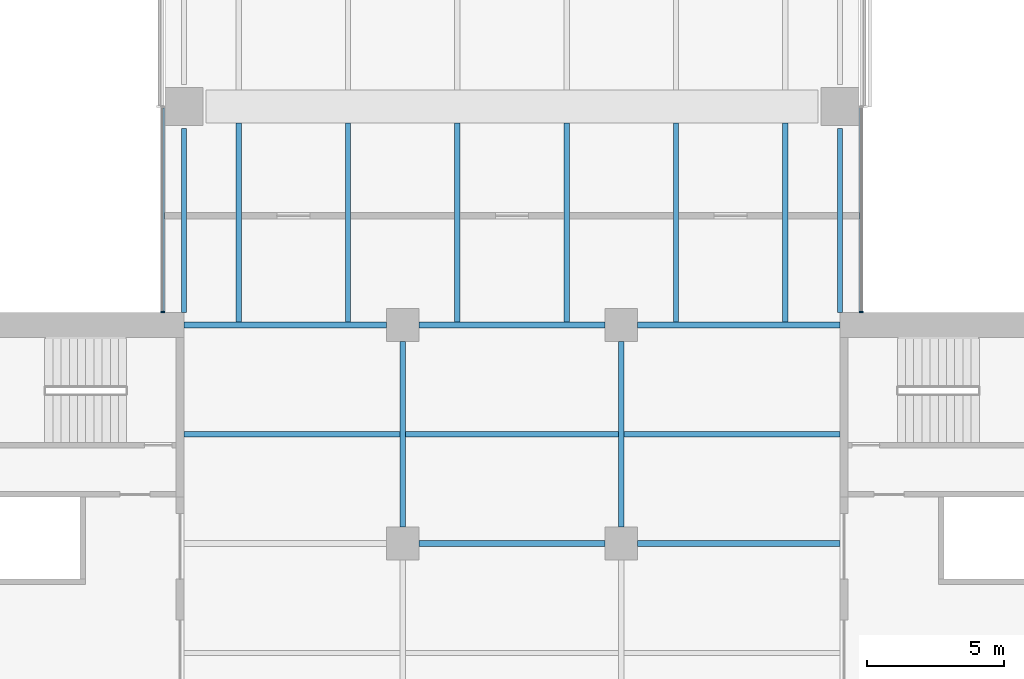
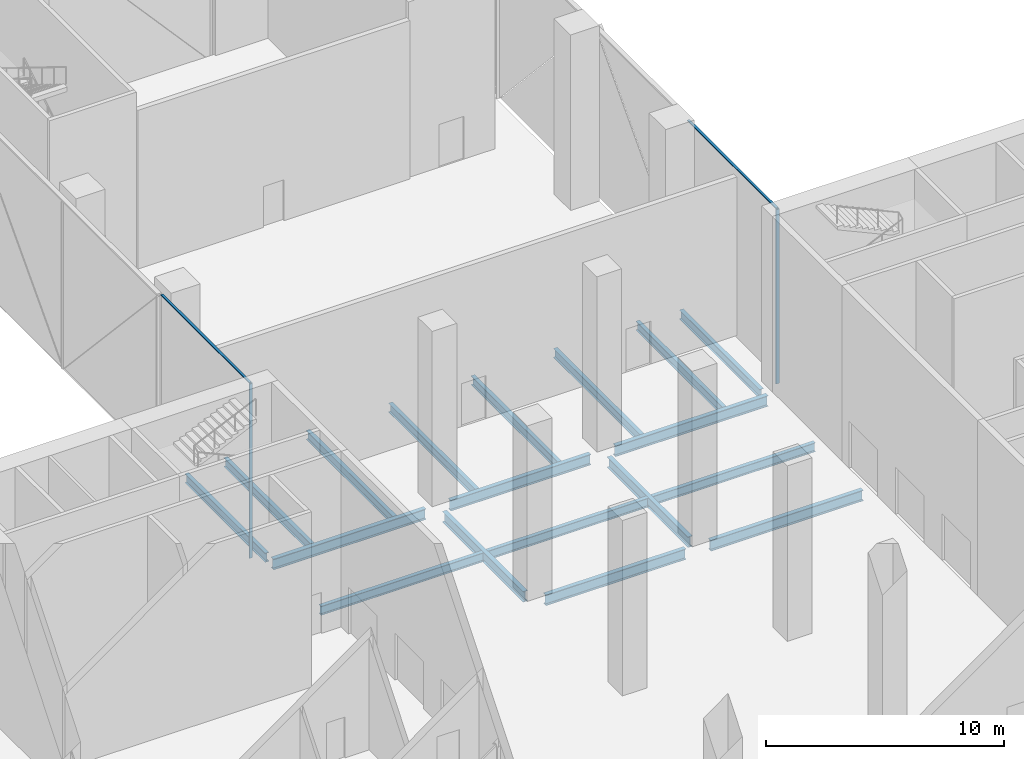
# One storey, part 6 of 26: 18 beams, 4 members, 2 elements without a shape of their own.
"""IFC4 building model written with IfcOpenShell, lengths in metres."""

from ifc_helpers import new_model, si_unit, direction, frame, origin, origin_2d, place, context, subcontext, project, spatial, rectangle, i_section, extrude, material, material_profile, profile_set, type_object, element, aggregate, save


model = new_model("IFC4")

# Units and contexts
model_context = context("Model", 3, precision=1e-05, world=origin(), true_north=direction((0.0, 1.0)))
body_context = subcontext(model_context, "Body", "Model", "MODEL_VIEW")
ifc_project = project(units=[si_unit("LENGTHUNIT", "METRE"), si_unit("AREAUNIT", "SQUARE_METRE"), si_unit("VOLUMEUNIT", "CUBIC_METRE"), si_unit("PLANEANGLEUNIT", "RADIAN"), si_unit("MASSUNIT", "GRAM", prefix="KILO")], contexts=[model_context])

# Site, building, storey
site_placement = place(None, origin())
site = spatial("IfcSite", under=ifc_project, at=site_placement, CompositionType="ELEMENT")
building_placement = place(site_placement, origin())
building = spatial("IfcBuilding", under=site, at=building_placement, Name="Crosswind Convention Tower", CompositionType="ELEMENT")
storey_placement = place(building_placement, frame((0.0, 0.0, 25.0)))
storey = spatial("IfcBuildingStorey", under=building, at=storey_placement, Name="L03", CompositionType="ELEMENT", Elevation=25.0)

# Beams
ifc_material_1 = material(Name="Steel S355", Category="steel")
ifc_material_profile_1 = material_profile(ifc_material_1, i_section(OverallWidth=0.19287109375, OverallDepth=0.467529296875, WebThickness=0.011474609375, FlangeThickness=0.01953125, FilletRadius=0.01025390625, at=origin_2d()), Name="UB 457x191x98")
ifc_profile_set_1 = profile_set([ifc_material_profile_1], Name="Steel S355")
beam_type_1 = type_object("IfcBeamType", Name="Edge beam UB 457x191x98", PredefinedType="SPANDREL", material=ifc_profile_set_1)
for number, where, z_axis, x_axis, name in (
    (1, (113.0, 112.449951171875, -0.6337890625), (0.0, 1.0, 0.0), (-1.0, 0.0, 0.0), "B20 L03 edge beam 9"),
    (2, (137.0, 112.449951171875, -0.6337890625), (0.0, 1.0, 0.0), (-1.0, 0.0, 0.0), "B20 L03 edge beam 17"),
):
    element("IfcBeam", number, at=place(storey_placement, frame(where, z_axis=z_axis, x_axis=x_axis)), inside=storey, type_object=beam_type_1, Name=name, PredefinedType="SPANDREL", context=body_context, shape_type="SweptSolid", body=[
        extrude(i_section(OverallWidth=0.19287109375, OverallDepth=0.467529296875, WebThickness=0.011474609375, FlangeThickness=0.01953125, FilletRadius=0.01025390625, at=origin_2d()), origin(), (0.0, 0.0, 1.0), 6.75),
    ])
ifc_material_profile_2 = material_profile(ifc_material_1, i_section(OverallWidth=0.2119140625, OverallDepth=0.544677734375, WebThickness=0.0126953125, FlangeThickness=0.021240234375, FilletRadius=0.0126953125, at=origin_2d()), Name="UB 533x210x122")
ifc_profile_set_2 = profile_set([ifc_material_profile_2], Name="Steel S355")
beam_type_2 = type_object("IfcBeamType", Name="Girder UB 533x210x122", PredefinedType="BEAM", material=ifc_profile_set_2)
for number, where, z_axis, x_axis, name in (
    (3, (121.0, 104.60009765625, -0.67236328125), (0.0, 1.0, 0.0), (-1.0, 0.0, 0.0), "B6 L03 girder 3"),
    (4, (121.60009765625, 104.0, -0.67236328125), (1.0, 0.0, 0.0), (0.0, 1.0, 0.0), "B6 L03 girder 6"),
    (5, (121.60009765625, 112.0, -0.67236328125), (1.0, 0.0, 0.0), (0.0, 1.0, 0.0), "B6 L03 girder 7"),
    (6, (129.0, 104.60009765625, -0.67236328125), (0.0, 1.0, 0.0), (-1.0, 0.0, 0.0), "B6 L03 girder 10"),
):
    element("IfcBeam", number, at=place(storey_placement, frame(where, z_axis=z_axis, x_axis=x_axis)), inside=storey, type_object=beam_type_2, Name=name, PredefinedType="BEAM", context=body_context, shape_type="SweptSolid", body=[
        extrude(i_section(OverallWidth=0.2119140625, OverallDepth=0.544677734375, WebThickness=0.0126953125, FlangeThickness=0.021240234375, FilletRadius=0.0126953125, at=origin_2d()), origin(), (0.0, 0.0, 1.0), 6.7998046875),
    ])
ifc_material_profile_3 = material_profile(ifc_material_1, i_section(OverallWidth=0.214111328125, OverallDepth=0.549072265625, WebThickness=0.0146484375, FlangeThickness=0.023681640625, FilletRadius=0.0126953125, at=origin_2d()), Name="UB 533x210x138")
ifc_profile_set_3 = profile_set([ifc_material_profile_3], Name="Steel S355")
beam_type_3 = type_object("IfcBeamType", Name="Girder at core wall UB 533x210x138", PredefinedType="BEAM", material=ifc_profile_set_3)
for number, where, z_axis, x_axis, name in (
    (7, (113.0, 112.0, -0.674560546875), (1.0, 0.0, 0.0), (0.0, 1.0, 0.0), "B27 L03 girder at core wall 4"),
    (8, (129.60009765625, 104.0, -0.674560546875), (1.0, 0.0, 0.0), (0.0, 1.0, 0.0), "B27 L03 girder at core wall 7"),
    (9, (129.60009765625, 112.0, -0.674560546875), (1.0, 0.0, 0.0), (0.0, 1.0, 0.0), "B27 L03 girder at core wall 8"),
):
    element("IfcBeam", number, at=place(storey_placement, frame(where, z_axis=z_axis, x_axis=x_axis)), inside=storey, type_object=beam_type_3, Name=name, PredefinedType="BEAM", context=body_context, shape_type="SweptSolid", body=[
        extrude(i_section(OverallWidth=0.214111328125, OverallDepth=0.549072265625, WebThickness=0.0146484375, FlangeThickness=0.023681640625, FilletRadius=0.0126953125, at=origin_2d()), origin(), (0.0, 0.0, 1.0), 7.39990234375),
    ])

# Curtain wall, member
ifc_material_2 = material(Name="Aluminium unitised curtain wall", Category="aluminium")
curtain_wall_type = type_object("IfcCurtainWallType", Name="CORE END SLOT WALL 160", PredefinedType="USERDEFINED", material=ifc_material_2)
curtain_wall_1_placement = place(storey_placement, origin())
curtain_wall_1 = element("IfcCurtainWall", 10, at=curtain_wall_1_placement, inside=storey, type_object=curtain_wall_type, Name="CW6 L03 N-E.1-1 slot", ObjectType="UNITISED", PredefinedType="USERDEFINED")
ifc_material_3 = material(Name="Aluminium mullion", Category="aluminium")
ifc_material_profile_4 = material_profile(ifc_material_3, rectangle(XDim=0.159912109375, YDim=0.050048828125, at=origin_2d()), Name="AL 160X50")
ifc_profile_set_4 = profile_set([ifc_material_profile_4], Name="Aluminium mullion")
member_type_1 = type_object("IfcMemberType", Name="MULLION 50X160", PredefinedType="MULLION", material=ifc_profile_set_4)
member_1_placement = place(storey_placement, frame((137.780029296875, 112.47509765625, -0.39990234375), z_axis=(0.0, 0.0, 1.0), x_axis=(1.0, 0.0, 0.0)))
member_1 = element("IfcMember", 11, at=member_1_placement, type_object=member_type_1, Name="CW6 mullion 1", PredefinedType="MULLION", context=body_context, shape_type="SweptSolid", body=[
    extrude(rectangle(XDim=0.159912109375, YDim=0.050048828125, at=origin_2d()), origin(), (0.0, 0.0, 1.0), 8.949951171875),
])

curtain_wall_2_placement = place(storey_placement, origin())
curtain_wall_2 = element("IfcCurtainWall", 12, at=curtain_wall_2_placement, inside=storey, type_object=curtain_wall_type, Name="CW6 L03 N-W.1-4 slot", ObjectType="UNITISED", PredefinedType="USERDEFINED")
member_2_placement = place(storey_placement, frame((112.219970703125, 112.47509765625, -0.39990234375), z_axis=(0.0, 0.0, 1.0), x_axis=(-1.0, 0.0, 0.0)))
member_2 = element("IfcMember", 13, at=member_2_placement, type_object=member_type_1, Name="CW6 mullion 2", PredefinedType="MULLION", context=body_context, shape_type="SweptSolid", body=[
    extrude(rectangle(XDim=0.159912109375, YDim=0.050048828125, at=origin_2d()), origin(), (0.0, 0.0, 1.0), 8.949951171875),
])

# Beams
ifc_material_profile_5 = material_profile(ifc_material_1, i_section(OverallWidth=0.19140625, OverallDepth=0.460205078125, WebThickness=0.010009765625, FlangeThickness=0.01611328125, FilletRadius=0.01025390625, at=origin_2d()), Name="UB 457x191x82")
ifc_profile_set_5 = profile_set([ifc_material_profile_5], Name="Steel S355")
beam_type_4 = type_object("IfcBeamType", Name="Secondary beam UB 457x191x82", PredefinedType="JOIST", material=ifc_profile_set_5)
beam_1_placement = place(storey_placement, frame((113.0, 108.0, -0.630126953125), z_axis=(1.0, 0.0, 0.0), x_axis=(0.0, 1.0, 0.0)))
element("IfcBeam", 14, at=beam_1_placement, inside=storey, type_object=beam_type_4, Name="B13 L03 secondary beam 13", PredefinedType="JOIST", context=body_context, shape_type="SweptSolid", body=[
    extrude(i_section(OverallWidth=0.19140625, OverallDepth=0.460205078125, WebThickness=0.010009765625, FlangeThickness=0.01611328125, FilletRadius=0.01025390625, at=origin_2d()), origin(), (0.0, 0.0, 1.0), 7.89404296875),
])
for number, where, z_axis, x_axis, name in (
    (15, (115.0, 112.10693359375, -0.630126953125), (0.0, 1.0, 0.0), (-1.0, 0.0, 0.0), "B13 L03 secondary beam 17"),
    (16, (119.0, 112.10693359375, -0.630126953125), (0.0, 1.0, 0.0), (-1.0, 0.0, 0.0), "B13 L03 secondary beam 24"),
):
    element("IfcBeam", number, at=place(storey_placement, frame(where, z_axis=z_axis, x_axis=x_axis)), inside=storey, type_object=beam_type_4, Name=name, PredefinedType="JOIST", context=body_context, shape_type="SweptSolid", body=[
        extrude(i_section(OverallWidth=0.19140625, OverallDepth=0.460205078125, WebThickness=0.010009765625, FlangeThickness=0.01611328125, FilletRadius=0.01025390625, at=origin_2d()), origin(), (0.0, 0.0, 1.0), 7.29296875),
    ])
beam_2_placement = place(storey_placement, frame((121.10595703125, 108.0, -0.630126953125), z_axis=(1.0, 0.0, 0.0), x_axis=(0.0, 1.0, 0.0)))
element("IfcBeam", 17, at=beam_2_placement, inside=storey, type_object=beam_type_4, Name="B13 L03 secondary beam 30", PredefinedType="JOIST", context=body_context, shape_type="SweptSolid", body=[
    extrude(i_section(OverallWidth=0.19140625, OverallDepth=0.460205078125, WebThickness=0.010009765625, FlangeThickness=0.01611328125, FilletRadius=0.01025390625, at=origin_2d()), origin(), (0.0, 0.0, 1.0), 7.7880859375),
])
for number, where, z_axis, x_axis, name in (
    (18, (123.0, 112.10595703125, -0.630126953125), (0.0, 1.0, 0.0), (-1.0, 0.0, 0.0), "B13 L03 secondary beam 35"),
    (19, (127.0, 112.10595703125, -0.630126953125), (0.0, 1.0, 0.0), (-1.0, 0.0, 0.0), "B13 L03 secondary beam 43"),
):
    element("IfcBeam", number, at=place(storey_placement, frame(where, z_axis=z_axis, x_axis=x_axis)), inside=storey, type_object=beam_type_4, Name=name, PredefinedType="JOIST", context=body_context, shape_type="SweptSolid", body=[
        extrude(i_section(OverallWidth=0.19140625, OverallDepth=0.460205078125, WebThickness=0.010009765625, FlangeThickness=0.01611328125, FilletRadius=0.01025390625, at=origin_2d()), origin(), (0.0, 0.0, 1.0), 7.2939453125),
    ])
beam_3_placement = place(storey_placement, frame((129.10595703125, 108.0, -0.630126953125), z_axis=(1.0, 0.0, 0.0), x_axis=(0.0, 1.0, 0.0)))
element("IfcBeam", 20, at=beam_3_placement, inside=storey, type_object=beam_type_4, Name="B13 L03 secondary beam 49", PredefinedType="JOIST", context=body_context, shape_type="SweptSolid", body=[
    extrude(i_section(OverallWidth=0.19140625, OverallDepth=0.460205078125, WebThickness=0.010009765625, FlangeThickness=0.01611328125, FilletRadius=0.01025390625, at=origin_2d()), origin(), (0.0, 0.0, 1.0), 7.89404296875),
])
for number, where, z_axis, x_axis, name in (
    (21, (131.0, 112.10693359375, -0.630126953125), (0.0, 1.0, 0.0), (-1.0, 0.0, 0.0), "B13 L03 secondary beam 54"),
    (22, (135.0, 112.10693359375, -0.630126953125), (0.0, 1.0, 0.0), (-1.0, 0.0, 0.0), "B13 L03 secondary beam 61"),
):
    element("IfcBeam", number, at=place(storey_placement, frame(where, z_axis=z_axis, x_axis=x_axis)), inside=storey, type_object=beam_type_4, Name=name, PredefinedType="JOIST", context=body_context, shape_type="SweptSolid", body=[
        extrude(i_section(OverallWidth=0.19140625, OverallDepth=0.460205078125, WebThickness=0.010009765625, FlangeThickness=0.01611328125, FilletRadius=0.01025390625, at=origin_2d()), origin(), (0.0, 0.0, 1.0), 7.29296875),
    ])

# Member
ifc_material_4 = material(Name="Aluminium transom", Category="aluminium")
ifc_material_profile_6 = material_profile(ifc_material_4, rectangle(XDim=0.1201171875, YDim=0.050048828125, at=origin_2d()), Name="AL 120X50")
ifc_profile_set_6 = profile_set([ifc_material_profile_6], Name="Aluminium transom")
member_type_2 = type_object("IfcMemberType", Name="TRANSOM 50X120", PredefinedType="USERDEFINED", material=ifc_profile_set_6)
member_3_placement = place(storey_placement, frame((137.780029296875, 112.5, 8.574951171875), z_axis=(0.0, 1.0, 0.0), x_axis=(-1.0, 0.0, 0.0)))
member_3 = element("IfcMember", 23, at=member_3_placement, type_object=member_type_2, Name="CW6 transom", ObjectType="TRANSOM", PredefinedType="USERDEFINED", context=body_context, shape_type="SweptSolid", body=[
    extrude(rectangle(XDim=0.1201171875, YDim=0.050048828125, at=origin_2d()), origin(), (0.0, 0.0, 1.0), 7.449951171875),
])

aggregate(curtain_wall_1, [member_1, member_3])

member_4_placement = place(storey_placement, frame((112.219970703125, 119.949951171875, 8.574951171875), z_axis=(0.0, -1.0, 0.0), x_axis=(1.0, 0.0, 0.0)))
member_4 = element("IfcMember", 24, at=member_4_placement, type_object=member_type_2, Name="CW6 transom", ObjectType="TRANSOM", PredefinedType="USERDEFINED", context=body_context, shape_type="SweptSolid", body=[
    extrude(rectangle(XDim=0.1201171875, YDim=0.050048828125, at=origin_2d()), origin(), (0.0, 0.0, 1.0), 7.449951171875),
])

aggregate(curtain_wall_2, [member_2, member_4])

save(model, "model.ifc")
